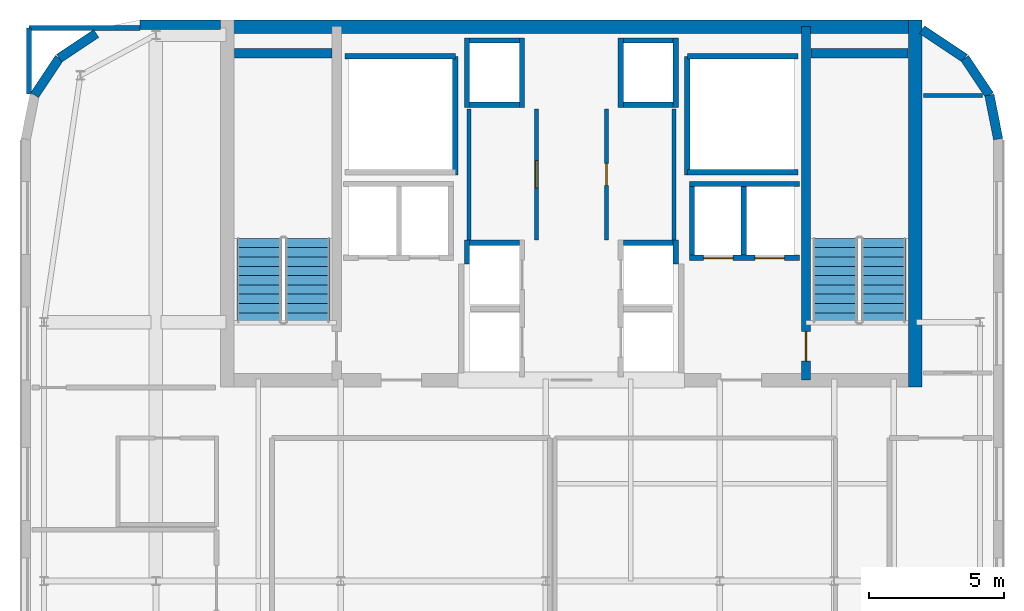
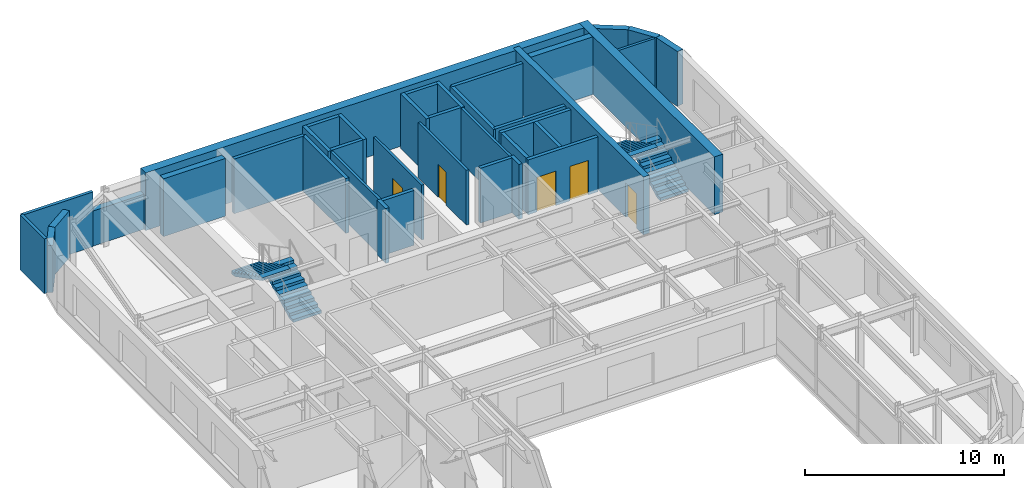
# One storey, part 16 of 20: 39 walls, 5 doors, 4 stair flights, 5 openings, 2 elements without a shape of their own.
"""IFC4 building model written with IfcOpenShell, lengths in metres."""

from ifc_helpers import new_model, si_unit, direction, frame, frame_2d, origin, place, context, subcontext, project, spatial, polyline, rectangle, outline, extrude, source, transform, mapped, material, layer, layer_set, type_object, type_shapes, element, fill, aggregate, save


model = new_model("IFC4")

# Units and contexts
model_context = context("Model", 3, precision=1e-05, world=origin(), true_north=direction((0.0, 1.0)))
body_context = subcontext(model_context, "Body", "Model", "MODEL_VIEW")
ifc_project = project(units=[si_unit("LENGTHUNIT", "METRE"), si_unit("AREAUNIT", "SQUARE_METRE"), si_unit("VOLUMEUNIT", "CUBIC_METRE"), si_unit("PLANEANGLEUNIT", "RADIAN"), si_unit("MASSUNIT", "GRAM", prefix="KILO")], contexts=[model_context])

# Site, building, storey
site_placement = place(None, origin())
site = spatial("IfcSite", under=ifc_project, at=site_placement, CompositionType="ELEMENT")
building_placement = place(site_placement, origin())
building = spatial("IfcBuilding", under=site, at=building_placement, Name="Tolvann Quenvar Hotel", CompositionType="ELEMENT")
storey_placement = place(building_placement, frame((0.0, 0.0, 248.75)))
storey = spatial("IfcBuildingStorey", under=building, at=storey_placement, Name="L66", CompositionType="ELEMENT", Elevation=248.75)

# Walls
ifc_material_1 = material(Name="Concrete N50 (50 MPa)", Category="concrete")
ifc_layer_1 = layer(ifc_material_1, 0.5)
ifc_layer_set_1 = layer_set([ifc_layer_1], Name="Concrete N50 (50 MPa)")
wall_type_1 = type_object("IfcWallType", Name="WALL_CORE_500", PredefinedType="SHEAR", material=ifc_layer_set_1)
wall_1_placement = place(storey_placement, frame((10.0, 44.949951171875, 0.0), z_axis=(0.0, 0.0, 1.0), x_axis=(1.0, 0.0, 0.0)))
element("IfcWall", 1, at=wall_1_placement, inside=storey, type_object=wall_type_1, Name="Rear Core N Shear Wall (L66)", PredefinedType="SHEAR", context=body_context, shape_type="SweptSolid", body=[
    extrude(rectangle(XDim=26.0, YDim=0.5, at=frame_2d((13.0, 0.0))), origin(), (0.0, 0.0, 1.0), 3.550048828125),
])
wall_2_placement = place(storey_placement, frame((35.75, 31.60009765625, 0.0), z_axis=(0.0, 0.0, 1.0), x_axis=(0.0, 1.0, 0.0)))
element("IfcWall", 2, at=wall_2_placement, inside=storey, type_object=wall_type_1, Name="Rear Core E Shear Wall (L66)", PredefinedType="SHEAR", context=body_context, shape_type="SweptSolid", body=[
    extrude(rectangle(XDim=13.599853515625, YDim=0.5, at=frame_2d((6.7998046875, 0.0))), origin(), (0.0, 0.0, 1.0), 3.550048828125),
])

# Wall, opening, door
ifc_material_2 = material(Name="Concrete S65 (65 MPa)", Category="concrete")
ifc_layer_2 = layer(ifc_material_2, 0.35009765625)
ifc_layer_set_2 = layer_set([ifc_layer_2], Name="Concrete S65 (65 MPa)")
wall_type_2 = type_object("IfcWallType", Name="WALL_CORE_INT_350", PredefinedType="SHEAR", material=ifc_layer_set_2)
wall_3_placement = place(storey_placement, frame((31.699951171875, 31.85009765625, 0.0), z_axis=(0.0, 0.0, 1.0), x_axis=(0.0, 1.0, 0.0)))
wall_3 = element("IfcWall", 3, at=wall_3_placement, inside=storey, type_object=wall_type_2, Name="Core Internal Web Shear Wall WEB-E (L66)", PredefinedType="SHEAR", context=body_context, shape_type="SweptSolid", body=[
    extrude(rectangle(XDim=13.099853515625, YDim=0.35009765625, at=frame_2d((6.5498046875, 0.0))), origin(), (0.0, 0.0, 1.0), 3.550048828125),
])
opening_1_placement = place(wall_3_placement, frame((1.800048828125, 0.0, 0.0), z_axis=(0.0, 0.0, 1.0), x_axis=(-1.0, 0.0, 0.0)))
opening_1 = element("IfcOpeningElement", 4, at=opening_1_placement, cuts=wall_3, Name="Opening FD-120", PredefinedType="OPENING", context=body_context, shape_type="SweptSolid", body=[
    extrude(rectangle(XDim=1.10009765625, YDim=2.1201171875, at=frame_2d((0.550048828125, 1.06005859375))), frame((0.0, 0.18505859375, 0.0), z_axis=(0.0, -1.0, 0.0), x_axis=(1.0, 0.0, 0.0)), (0.0, 0.0, 1.0), 0.3701171875),
])
ifc_material_3 = material(Name="Pressed galvanised steel fire-rated door set", Category="steel")
door_type_1 = type_object("IfcDoorType", Name="DOOR_FIRE_STAIR_1100", OperationType="NOTDEFINED", PredefinedType="DOOR", material=ifc_material_3)
shared_shape_1 = source(origin(), body_context, "Body", "SweptSolid", [
    extrude(rectangle(XDim=1.10009765625, YDim=2.1201171875, at=frame_2d((0.550048828125, 1.06005859375))), frame((0.0, 0.02490234375, 0.0), z_axis=(0.0, -1.0, 0.0), x_axis=(1.0, 0.0, 0.0)), (0.0, 0.0, 1.0), 0.050048828125),
])
type_shapes(door_type_1, [shared_shape_1])
door_1_placement = place(opening_1_placement, origin())
door_1 = element("IfcDoor", 5, at=door_1_placement, inside=storey, type_object=door_type_1, Name="Exit Stair ST-C2 Fire Door (L66)", OperationType="SINGLE_SWING_RIGHT", OverallHeight=2.1201171875, OverallWidth=1.10009765625, PredefinedType="DOOR", context=body_context, shape_type="MappedRepresentation", body=[
    mapped(shared_shape_1, transform((0.0, 0.0, 0.0), x_axis=(1.0, 0.0, 0.0), y_axis=(0.0, 1.0, 0.0), z_axis=(0.0, 0.0, 1.0), scale=1.0)),
])
fill(opening_1, door_1)

# Walls
for number, where, z_axis, x_axis, name in (
    (6, (10.52001953125, 43.97509765625, 0.0), (0.0, 0.0, 1.0), (1.0, 0.0, 0.0), "Core Stair North Closing Shear Wall STC1-N (L66)"),
    (7, (31.8798828125, 43.97509765625, 0.0), (0.0, 0.0, 1.0), (1.0, 0.0, 0.0), "Core Stair North Closing Shear Wall STC2-N (L66)"),
):
    element("IfcWall", number, at=place(storey_placement, frame(where, z_axis=z_axis, x_axis=x_axis)), inside=storey, type_object=wall_type_2, Name=name, PredefinedType="SHEAR", context=body_context, shape_type="SweptSolid", body=[
        extrude(rectangle(XDim=3.60009765625, YDim=0.35009765625, at=frame_2d((1.800048828125, 0.0))), origin(), (0.0, 0.0, 1.0), 3.550048828125),
    ])
ifc_material_4 = material(Name="Kiln-fired red and buff architectural clay brickwork and terracotta masonry", Category="masonry")
ifc_layer_3 = layer(ifc_material_4, 0.35009765625)
ifc_layer_set_3 = layer_set([ifc_layer_3], Name="Kiln-fired red and buff architectural clay brickwork and terracotta masonry")
wall_type_3 = type_object("IfcWallType", Name="WALL_EXT_BRICK_350", PredefinedType="SOLIDWALL", material=ifc_layer_set_3)
wall_4_placement = place(storey_placement, frame((38.824951171875, 40.78271484375, 0.0), z_axis=(0.0, 0.0, 1.0), x_axis=(-0.195044345786, 0.980794424524, 0.0)))
element("IfcWall", 8, at=wall_4_placement, inside=storey, type_object=wall_type_3, Name="Exterior Chicago Brick Wall L66-E14", PredefinedType="SOLIDWALL", context=body_context, shape_type="SweptSolid", body=[
    extrude(rectangle(XDim=1.664794921875, YDim=0.35009765625, at=frame_2d((0.83251953125, 0.0))), origin(), (0.0, 0.0, 1.0), 3.3701171875),
])
wall_5_placement = place(storey_placement, frame((38.500244140625, 42.41552734375, 0.0), z_axis=(0.0, 0.0, 1.0), x_axis=(-0.555520825599, 0.831502623162, 0.0)))
element("IfcWall", 9, at=wall_5_placement, inside=storey, type_object=wall_type_3, Name="Exterior Chicago Brick Wall L66-E15", PredefinedType="SOLIDWALL", context=body_context, shape_type="SweptSolid", body=[
    extrude(rectangle(XDim=1.647216796875, YDim=0.35009765625, at=frame_2d((0.82373046875, 0.0))), origin(), (0.0, 0.0, 1.0), 3.3701171875),
])
wall_6_placement = place(storey_placement, frame((37.585205078125, 43.78515625, 0.0), z_axis=(0.0, 0.0, 1.0), x_axis=(-0.831516639465, 0.555499845448, 0.0)))
element("IfcWall", 10, at=wall_6_placement, inside=storey, type_object=wall_type_3, Name="Exterior Chicago Brick Wall L66-E16", PredefinedType="SOLIDWALL", context=body_context, shape_type="SweptSolid", body=[
    extrude(rectangle(XDim=1.901611328125, YDim=0.35009765625, at=frame_2d((0.95068359375, 0.0))), origin(), (0.0, 0.0, 1.0), 3.3701171875),
])
wall_7_placement = place(storey_placement, frame((9.99609375, 45.02490234375, 0.0), z_axis=(0.0, 0.0, 1.0), x_axis=(-1.0, 0.0, 0.0)))
element("IfcWall", 11, at=wall_7_placement, inside=storey, type_object=wall_type_3, Name="Exterior Chicago Brick Wall L66-E18NW", PredefinedType="SOLIDWALL", context=body_context, shape_type="SweptSolid", body=[
    extrude(rectangle(XDim=2.97900390625, YDim=0.35009765625, at=frame_2d((1.489501953125, 0.0))), origin(), (0.0, 0.0, 1.0), 2.159912109375),
])
for number, where, z_axis, x_axis, name in (
    (12, (5.384521484375, 44.7001953125, 0.0), (0.0, 0.0, 1.0), (-0.831502623162, -0.555520825599, 0.0), "Exterior Chicago Brick Wall L66-E20"),
    (13, (4.014892578125, 43.78515625, 0.0), (0.0, 0.0, 1.0), (-0.555623290322, -0.831434158098, 0.0), "Exterior Chicago Brick Wall L66-E21"),
):
    element("IfcWall", number, at=place(storey_placement, frame(where, z_axis=z_axis, x_axis=x_axis)), inside=storey, type_object=wall_type_3, Name=name, PredefinedType="SOLIDWALL", context=body_context, shape_type="SweptSolid", body=[
        extrude(rectangle(XDim=1.647216796875, YDim=0.35009765625, at=frame_2d((0.82373046875, 0.0))), origin(), (0.0, 0.0, 1.0), 2.89990234375),
    ])
ifc_material_5 = material(Name="Acoustic twin-stud fire-rated gypsum plasterboard partition")
ifc_layer_4 = layer(ifc_material_5, 0.179931640625)
ifc_layer_set_4 = layer_set([ifc_layer_4], Name="Acoustic twin-stud fire-rated gypsum plasterboard partition")
wall_type_4 = type_object("IfcWallType", Name="WALL_PART_ACOUSTIC_180", PredefinedType="PARTITIONING", material=ifc_layer_set_4)
wall_8_placement = place(storey_placement, frame((2.89990234375, 44.89990234375, 0.0), z_axis=(0.0, 0.0, 1.0), x_axis=(1.0, 0.0, 0.0)))
element("IfcWall", 14, at=wall_8_placement, inside=storey, type_object=wall_type_4, Name="Interior Partition PT-SPC-L66-SAL-N", PredefinedType="PARTITIONING", context=body_context, shape_type="SweptSolid", body=[
    extrude(rectangle(XDim=4.1171875, YDim=0.179931640625, at=frame_2d((2.05859375, 0.0))), origin(), (0.0, 0.0, 1.0), 3.3701171875),
])
wall_9_placement = place(storey_placement, frame((2.89990234375, 42.455078125, 0.0), z_axis=(0.0, 0.0, 1.0), x_axis=(0.0, 1.0, 0.0)))
element("IfcWall", 15, at=wall_9_placement, inside=storey, type_object=wall_type_4, Name="Interior Partition PT-SPC-L66-SAL-W", PredefinedType="PARTITIONING", context=body_context, shape_type="SweptSolid", body=[
    extrude(rectangle(XDim=2.44482421875, YDim=0.179931640625, at=frame_2d((1.222412109375, 0.0))), origin(), (0.0, 0.0, 1.0), 3.3701171875),
])

# Wall, opening, door
ifc_layer_5 = layer(ifc_material_5, 0.14990234375)
ifc_layer_set_5 = layer_set([ifc_layer_5], Name="Acoustic twin-stud fire-rated gypsum plasterboard partition")
wall_type_5 = type_object("IfcWallType", Name="WALL_PART_SUITE_150", PredefinedType="PARTITIONING", material=ifc_layer_set_5)
wall_10_placement = place(storey_placement, frame((21.699951171875, 37.050048828125, 0.0), z_axis=(0.0, 0.0, 1.0), x_axis=(0.0, 1.0, 0.0)))
wall_10 = element("IfcWall", 16, at=wall_10_placement, inside=storey, type_object=wall_type_5, Name="Interior Partition PT-SPC-L66-RECPM-1-ENT", PredefinedType="PARTITIONING", context=body_context, shape_type="SweptSolid", body=[
    extrude(rectangle(XDim=4.849853515625, YDim=0.14990234375, at=frame_2d((2.4248046875, 0.0))), origin(), (0.0, 0.0, 1.0), 3.3701171875),
])
opening_2_placement = place(wall_10_placement, frame((1.9150390625, 0.0, 0.0)))
opening_2 = element("IfcOpeningElement", 17, at=opening_2_placement, cuts=wall_10, Name="Opening HD-01", PredefinedType="OPENING", context=body_context, shape_type="SweptSolid", body=[
    extrude(rectangle(XDim=1.02001953125, YDim=2.030029296875, at=frame_2d((0.510009765625, 1.01513671875))), frame((0.0, 0.0849609375, 0.0), z_axis=(0.0, -1.0, 0.0), x_axis=(1.0, 0.0, 0.0)), (0.0, 0.0, 1.0), 0.169921875),
])
door_type_2 = type_object("IfcDoorType", Name="DOOR_BOH_1020", OperationType="NOTDEFINED", PredefinedType="DOOR", material=ifc_material_3)
shared_shape_2 = source(origin(), body_context, "Body", "SweptSolid", [
    extrude(rectangle(XDim=1.02001953125, YDim=2.030029296875, at=frame_2d((0.510009765625, 1.01513671875))), frame((0.0, 0.02490234375, 0.0), z_axis=(0.0, -1.0, 0.0), x_axis=(1.0, 0.0, 0.0)), (0.0, 0.0, 1.0), 0.050048828125),
])
type_shapes(door_type_2, [shared_shape_2])
door_2_placement = place(opening_2_placement, origin())
door_2 = element("IfcDoor", 18, at=door_2_placement, inside=storey, type_object=door_type_2, Name="Interior Door DOOR-SPC-L66-RECPM-1", OperationType="SINGLE_SWING_LEFT", OverallHeight=2.030029296875, OverallWidth=1.02001953125, PredefinedType="DOOR", context=body_context, shape_type="MappedRepresentation", body=[
    mapped(shared_shape_2, transform((0.0, 0.0, 0.0), x_axis=(1.0, 0.0, 0.0), y_axis=(0.0, 1.0, 0.0), z_axis=(0.0, 0.0, 1.0), scale=1.0)),
])
fill(opening_2, door_2)

# Wall
wall_11_placement = place(storey_placement, frame((19.199951171875, 37.0400390625, 0.0), z_axis=(0.0, 0.0, 1.0), x_axis=(0.0, 1.0, 0.0)))
element("IfcWall", 19, at=wall_11_placement, inside=storey, type_object=wall_type_5, Name="Interior Partition PT-SPC-L66-RECPM-1-W", PredefinedType="PARTITIONING", context=body_context, shape_type="SweptSolid", body=[
    extrude(rectangle(XDim=4.85986328125, YDim=0.14990234375, at=frame_2d((2.429931640625, 0.0))), origin(), (0.0, 0.0, 1.0), 3.3701171875),
])

# Wall, opening, door
wall_12_placement = place(storey_placement, frame((24.300048828125, 37.050048828125, 0.0), z_axis=(0.0, 0.0, 1.0), x_axis=(0.0, 1.0, 0.0)))
wall_12 = element("IfcWall", 20, at=wall_12_placement, inside=storey, type_object=wall_type_5, Name="Interior Partition PT-SPC-L66-RECPM-2-ENT", PredefinedType="PARTITIONING", context=body_context, shape_type="SweptSolid", body=[
    extrude(rectangle(XDim=4.849853515625, YDim=0.14990234375, at=frame_2d((2.4248046875, 0.0))), origin(), (0.0, 0.0, 1.0), 3.3701171875),
])
opening_3_placement = place(wall_12_placement, frame((2.014892578125, 0.0, 0.0)))
opening_3 = element("IfcOpeningElement", 21, at=opening_3_placement, cuts=wall_12, Name="Opening HD-02", PredefinedType="OPENING", context=body_context, shape_type="SweptSolid", body=[
    extrude(rectangle(XDim=0.820068359375, YDim=2.010009765625, at=frame_2d((0.41015625, 1.0048828125))), frame((0.0, 0.0849609375, 0.0), z_axis=(0.0, -1.0, 0.0), x_axis=(1.0, 0.0, 0.0)), (0.0, 0.0, 1.0), 0.169921875),
])
door_type_3 = type_object("IfcDoorType", Name="DOOR_STORE_820", OperationType="NOTDEFINED", PredefinedType="DOOR", material=ifc_material_3)
shared_shape_3 = source(origin(), body_context, "Body", "SweptSolid", [
    extrude(rectangle(XDim=0.820068359375, YDim=2.010009765625, at=frame_2d((0.41015625, 1.0048828125))), frame((0.0, 0.02490234375, 0.0), z_axis=(0.0, -1.0, 0.0), x_axis=(1.0, 0.0, 0.0)), (0.0, 0.0, 1.0), 0.050048828125),
])
type_shapes(door_type_3, [shared_shape_3])
door_3_placement = place(opening_3_placement, origin())
door_3 = element("IfcDoor", 22, at=door_3_placement, inside=storey, type_object=door_type_3, Name="Interior Door DOOR-SPC-L66-RECPM-2", OperationType="SINGLE_SWING_RIGHT", OverallHeight=2.010009765625, OverallWidth=0.820068359375, PredefinedType="DOOR", context=body_context, shape_type="MappedRepresentation", body=[
    mapped(shared_shape_3, transform((0.0, 0.0, 0.0), x_axis=(1.0, 0.0, 0.0), y_axis=(0.0, 1.0, 0.0), z_axis=(0.0, 0.0, 1.0), scale=1.0)),
])
fill(opening_3, door_3)

# Walls
wall_13_placement = place(storey_placement, frame((26.800048828125, 37.0400390625, 0.0), z_axis=(0.0, 0.0, 1.0), x_axis=(0.0, 1.0, 0.0)))
element("IfcWall", 23, at=wall_13_placement, inside=storey, type_object=wall_type_5, Name="Interior Partition PT-SPC-L66-RECPM-2-E", PredefinedType="PARTITIONING", context=body_context, shape_type="SweptSolid", body=[
    extrude(rectangle(XDim=4.85986328125, YDim=0.14990234375, at=frame_2d((2.429931640625, 0.0))), origin(), (0.0, 0.0, 1.0), 3.3701171875),
])
wall_14_placement = place(storey_placement, frame((36.054931640625, 42.39990234375, 0.0), z_axis=(0.0, 0.0, 1.0), x_axis=(1.0, 0.0, 0.0)))
element("IfcWall", 24, at=wall_14_placement, inside=storey, type_object=wall_type_5, Name="Interior Partition PT-SPC-L66-RECPL-P-N", PredefinedType="PARTITIONING", context=body_context, shape_type="SweptSolid", body=[
    extrude(rectangle(XDim=2.178955078125, YDim=0.14990234375, at=frame_2d((1.08935546875, 0.0))), origin(), (0.0, 0.0, 1.0), 3.3701171875),
])
ifc_material_6 = material(Name="Concrete N40 (40 MPa)", Category="concrete")
ifc_layer_6 = layer(ifc_material_6, 0.199951171875)
ifc_layer_set_6 = layer_set([ifc_layer_6], Name="Concrete N40 (40 MPa)")
wall_type_6 = type_object("IfcWallType", Name="WALL_SHAFT_200", PredefinedType="SOLIDWALL", material=ifc_layer_set_6)
wall_15_placement = place(storey_placement, frame((18.699951171875, 39.449951171875, 0.0), z_axis=(0.0, 0.0, 1.0), x_axis=(0.0, 1.0, 0.0)))
element("IfcWall", 25, at=wall_15_placement, inside=storey, type_object=wall_type_6, Name="Service Riser W Shaft Wall IN (L66)", PredefinedType="SOLIDWALL", context=body_context, shape_type="SweptSolid", body=[
    extrude(rectangle(XDim=4.400146484375, YDim=0.199951171875, at=frame_2d((2.2001953125, 0.0))), origin(), (0.0, 0.0, 1.0), 3.3701171875),
])
wall_16_placement = place(storey_placement, frame((14.60009765625, 43.85009765625, 0.0), z_axis=(0.0, 0.0, 1.0), x_axis=(1.0, 0.0, 0.0)))
element("IfcWall", 26, at=wall_16_placement, inside=storey, type_object=wall_type_6, Name="Service Riser W Shaft Wall N (L66)", PredefinedType="SOLIDWALL", context=body_context, shape_type="SweptSolid", body=[
    extrude(rectangle(XDim=4.099853515625, YDim=0.199951171875, at=frame_2d((2.0498046875, 0.0))), origin(), (0.0, 0.0, 1.0), 3.3701171875),
])
wall_17_placement = place(storey_placement, frame((27.300048828125, 39.449951171875, 0.0), z_axis=(0.0, 0.0, 1.0), x_axis=(0.0, 1.0, 0.0)))
element("IfcWall", 27, at=wall_17_placement, inside=storey, type_object=wall_type_6, Name="Service Riser E Shaft Wall IN (L66)", PredefinedType="SOLIDWALL", context=body_context, shape_type="SweptSolid", body=[
    extrude(rectangle(XDim=4.400146484375, YDim=0.199951171875, at=frame_2d((2.2001953125, 0.0))), origin(), (0.0, 0.0, 1.0), 3.3701171875),
])
for number, where, z_axis, x_axis, name in (
    (28, (27.300048828125, 39.550048828125, 0.0), (0.0, 0.0, 1.0), (1.0, 0.0, 0.0), "Service Riser E Shaft Wall S (L66)"),
    (29, (27.300048828125, 43.85009765625, 0.0), (0.0, 0.0, 1.0), (1.0, 0.0, 0.0), "Service Riser E Shaft Wall N (L66)"),
):
    element("IfcWall", number, at=place(storey_placement, frame(where, z_axis=z_axis, x_axis=x_axis)), inside=storey, type_object=wall_type_6, Name=name, PredefinedType="SOLIDWALL", context=body_context, shape_type="SweptSolid", body=[
        extrude(rectangle(XDim=4.099853515625, YDim=0.199951171875, at=frame_2d((2.0498046875, 0.0))), origin(), (0.0, 0.0, 1.0), 3.3701171875),
    ])
wall_18_placement = place(storey_placement, frame((19.1298828125, 36.159912109375, 0.0), z_axis=(0.0, 0.0, 1.0), x_axis=(0.0, 1.0, 0.0)))
element("IfcWall", 30, at=wall_18_placement, inside=storey, type_object=wall_type_6, Name="Lift Bank E21.1C1 Hoistway Rear Wall (L66)", PredefinedType="SOLIDWALL", context=body_context, shape_type="SweptSolid", body=[
    extrude(rectangle(XDim=0.880126953125, YDim=0.199951171875, at=frame_2d((0.43994140625, 0.0))), origin(), (0.0, 0.0, 1.0), 3.3701171875),
])
wall_19_placement = place(storey_placement, frame((19.22998046875, 36.93994140625, 0.0), z_axis=(0.0, 0.0, 1.0), x_axis=(1.0, 0.0, 0.0)))
element("IfcWall", 31, at=wall_19_placement, inside=storey, type_object=wall_type_6, Name="Lift Bank E21.1C1 Hoistway Cheek Wall 2 (L66)", PredefinedType="SOLIDWALL", context=body_context, shape_type="SweptSolid", body=[
    extrude(rectangle(XDim=1.840087890625, YDim=0.199951171875, at=frame_2d((0.919921875, 0.0))), origin(), (0.0, 0.0, 1.0), 3.3701171875),
])
for number, where, z_axis, x_axis, name in (
    (32, (21.169921875, 41.9599609375, 0.0), (0.0, 0.0, 1.0), (0.0, 1.0, 0.0), "Lift Bank E21.1C2 Hoistway Front Wall (L66)"),
    (33, (19.1298828125, 41.9599609375, 0.0), (0.0, 0.0, 1.0), (0.0, 1.0, 0.0), "Lift Bank E21.1C2 Hoistway Rear Wall (L66)"),
):
    element("IfcWall", number, at=place(storey_placement, frame(where, z_axis=z_axis, x_axis=x_axis)), inside=storey, type_object=wall_type_6, Name=name, PredefinedType="SOLIDWALL", context=body_context, shape_type="SweptSolid", body=[
        extrude(rectangle(XDim=2.580078125, YDim=0.199951171875, at=frame_2d((1.2900390625, 0.0))), origin(), (0.0, 0.0, 1.0), 3.3701171875),
    ])
for number, where, z_axis, x_axis, name in (
    (34, (19.22998046875, 42.06005859375, 0.0), (0.0, 0.0, 1.0), (1.0, 0.0, 0.0), "Lift Bank E21.1C2 Hoistway Cheek Wall 1 (L66)"),
    (35, (19.22998046875, 44.43994140625, 0.0), (0.0, 0.0, 1.0), (1.0, 0.0, 0.0), "Lift Bank E21.1C2 Hoistway Cheek Wall 2 (L66)"),
):
    element("IfcWall", number, at=place(storey_placement, frame(where, z_axis=z_axis, x_axis=x_axis)), inside=storey, type_object=wall_type_6, Name=name, PredefinedType="SOLIDWALL", context=body_context, shape_type="SweptSolid", body=[
        extrude(rectangle(XDim=1.840087890625, YDim=0.199951171875, at=frame_2d((0.919921875, 0.0))), origin(), (0.0, 0.0, 1.0), 3.3701171875),
    ])

# Wall, openings, doors
wall_20_placement = place(storey_placement, frame((27.375, 36.3798828125, 0.0), z_axis=(0.0, 0.0, 1.0), x_axis=(1.0, 0.0, 0.0)))
wall_20 = element("IfcWall", 36, at=wall_20_placement, inside=storey, type_object=wall_type_6, Name="Lift Bank SEC1 Hoistway Front Wall (L66)", PredefinedType="SOLIDWALL", context=body_context, shape_type="SweptSolid", body=[
    extrude(rectangle(XDim=4.074951171875, YDim=0.199951171875, at=frame_2d((2.03759765625, 0.0))), origin(), (0.0, 0.0, 1.0), 3.3701171875),
])
opening_4_placement = place(wall_20_placement, frame((0.52490234375, 0.0, 0.0)))
opening_4 = element("IfcOpeningElement", 37, at=opening_4_placement, cuts=wall_20, Name="Opening LD-01", PredefinedType="OPENING", context=body_context, shape_type="SweptSolid", body=[
    extrude(rectangle(XDim=1.10009765625, YDim=2.1201171875, at=frame_2d((0.550048828125, 1.06005859375))), frame((0.0, 0.10986328125, 0.0), z_axis=(0.0, -1.0, 0.0), x_axis=(1.0, 0.0, 0.0)), (0.0, 0.0, 1.0), 0.219970703125),
])
opening_5_placement = place(wall_20_placement, frame((2.425048828125, 0.0, 0.0)))
opening_5 = element("IfcOpeningElement", 38, at=opening_5_placement, cuts=wall_20, Name="Opening LD-01", PredefinedType="OPENING", context=body_context, shape_type="SweptSolid", body=[
    extrude(rectangle(XDim=1.10009765625, YDim=2.1201171875, at=frame_2d((0.550048828125, 1.06005859375))), frame((0.0, 0.10986328125, 0.0), z_axis=(0.0, -1.0, 0.0), x_axis=(1.0, 0.0, 0.0)), (0.0, 0.0, 1.0), 0.219970703125),
])
ifc_material_7 = material(Name="Brushed 316 stainless steel automatic sliding lift landing door", Category="steel")
door_type_4 = type_object("IfcDoorType", Name="DOOR_LIFT_SLIDE_1100", OperationType="NOTDEFINED", PredefinedType="DOOR", material=ifc_material_7)
shared_shape_4 = source(origin(), body_context, "Body", "SweptSolid", [
    extrude(rectangle(XDim=1.10009765625, YDim=2.1201171875, at=frame_2d((0.550048828125, 1.06005859375))), frame((0.0, 0.02490234375, 0.0), z_axis=(0.0, -1.0, 0.0), x_axis=(1.0, 0.0, 0.0)), (0.0, 0.0, 1.0), 0.050048828125),
])
type_shapes(door_type_4, [shared_shape_4])
door_4_placement = place(opening_4_placement, origin())
door_4 = element("IfcDoor", 39, at=door_4_placement, inside=storey, type_object=door_type_4, Name="Lift SV-2 Sliding Landing Door (L66)", OperationType="SLIDING_TO_LEFT", OverallHeight=2.1201171875, OverallWidth=1.10009765625, PredefinedType="DOOR", context=body_context, shape_type="MappedRepresentation", body=[
    mapped(shared_shape_4, transform((0.0, 0.0, 0.0), x_axis=(1.0, 0.0, 0.0), y_axis=(0.0, 1.0, 0.0), z_axis=(0.0, 0.0, 1.0), scale=1.0)),
])
fill(opening_4, door_4)
door_5_placement = place(opening_5_placement, origin())
door_5 = element("IfcDoor", 40, at=door_5_placement, inside=storey, type_object=door_type_4, Name="Lift FF-2 Sliding Landing Door (L66)", OperationType="SLIDING_TO_RIGHT", OverallHeight=2.1201171875, OverallWidth=1.10009765625, PredefinedType="DOOR", context=body_context, shape_type="MappedRepresentation", body=[
    mapped(shared_shape_4, transform((0.0, 0.0, 0.0), x_axis=(1.0, 0.0, 0.0), y_axis=(0.0, 1.0, 0.0), z_axis=(0.0, 0.0, 1.0), scale=1.0)),
])
fill(opening_5, door_5)

# Walls
wall_21_placement = place(storey_placement, frame((27.375, 39.1201171875, 0.0), z_axis=(0.0, 0.0, 1.0), x_axis=(1.0, 0.0, 0.0)))
element("IfcWall", 41, at=wall_21_placement, inside=storey, type_object=wall_type_6, Name="Lift Bank SEC1 Hoistway Rear Wall (L66)", PredefinedType="SOLIDWALL", context=body_context, shape_type="SweptSolid", body=[
    extrude(rectangle(XDim=4.074951171875, YDim=0.199951171875, at=frame_2d((2.03759765625, 0.0))), origin(), (0.0, 0.0, 1.0), 3.3701171875),
])
for number, where, z_axis, x_axis, name in (
    (42, (27.47509765625, 36.47998046875, 0.0), (0.0, 0.0, 1.0), (0.0, 1.0, 0.0), "Lift Bank SEC1 Hoistway Cheek Wall 1 (L66)"),
    (43, (29.387451171875, 36.47998046875, 0.0), (0.0, 0.0, 1.0), (0.0, 1.0, 0.0), "Lift Bank SEC1 Divider Wall 1 (L66)"),
):
    element("IfcWall", number, at=place(storey_placement, frame(where, z_axis=z_axis, x_axis=x_axis)), inside=storey, type_object=wall_type_6, Name=name, PredefinedType="SOLIDWALL", context=body_context, shape_type="SweptSolid", body=[
        extrude(rectangle(XDim=2.5400390625, YDim=0.199951171875, at=frame_2d((1.27001953125, 0.0))), origin(), (0.0, 0.0, 1.0), 3.3701171875),
    ])
wall_22_placement = place(storey_placement, frame((26.8701171875, 36.159912109375, 0.0), z_axis=(0.0, 0.0, 1.0), x_axis=(0.0, 1.0, 0.0)))
element("IfcWall", 44, at=wall_22_placement, inside=storey, type_object=wall_type_6, Name="Lift Bank W24.9C1 Hoistway Rear Wall (L66)", PredefinedType="SOLIDWALL", context=body_context, shape_type="SweptSolid", body=[
    extrude(rectangle(XDim=0.880126953125, YDim=0.199951171875, at=frame_2d((0.43994140625, 0.0))), origin(), (0.0, 0.0, 1.0), 3.3701171875),
])
wall_23_placement = place(storey_placement, frame((24.929931640625, 36.93994140625, 0.0), z_axis=(0.0, 0.0, 1.0), x_axis=(1.0, 0.0, 0.0)))
element("IfcWall", 45, at=wall_23_placement, inside=storey, type_object=wall_type_6, Name="Lift Bank W24.9C1 Hoistway Cheek Wall 2 (L66)", PredefinedType="SOLIDWALL", context=body_context, shape_type="SweptSolid", body=[
    extrude(rectangle(XDim=1.840087890625, YDim=0.199951171875, at=frame_2d((0.919921875, 0.0))), origin(), (0.0, 0.0, 1.0), 3.3701171875),
])
for number, where, z_axis, x_axis, name in (
    (46, (24.830078125, 41.9599609375, 0.0), (0.0, 0.0, 1.0), (0.0, 1.0, 0.0), "Lift Bank W24.9C2 Hoistway Front Wall (L66)"),
    (47, (26.8701171875, 41.9599609375, 0.0), (0.0, 0.0, 1.0), (0.0, 1.0, 0.0), "Lift Bank W24.9C2 Hoistway Rear Wall (L66)"),
):
    element("IfcWall", number, at=place(storey_placement, frame(where, z_axis=z_axis, x_axis=x_axis)), inside=storey, type_object=wall_type_6, Name=name, PredefinedType="SOLIDWALL", context=body_context, shape_type="SweptSolid", body=[
        extrude(rectangle(XDim=2.580078125, YDim=0.199951171875, at=frame_2d((1.2900390625, 0.0))), origin(), (0.0, 0.0, 1.0), 3.3701171875),
    ])
for number, where, z_axis, x_axis, name in (
    (48, (24.929931640625, 42.06005859375, 0.0), (0.0, 0.0, 1.0), (1.0, 0.0, 0.0), "Lift Bank W24.9C2 Hoistway Cheek Wall 1 (L66)"),
    (49, (24.929931640625, 44.43994140625, 0.0), (0.0, 0.0, 1.0), (1.0, 0.0, 0.0), "Lift Bank W24.9C2 Hoistway Cheek Wall 2 (L66)"),
):
    element("IfcWall", number, at=place(storey_placement, frame(where, z_axis=z_axis, x_axis=x_axis)), inside=storey, type_object=wall_type_6, Name=name, PredefinedType="SOLIDWALL", context=body_context, shape_type="SweptSolid", body=[
        extrude(rectangle(XDim=1.840087890625, YDim=0.199951171875, at=frame_2d((0.919921875, 0.0))), origin(), (0.0, 0.0, 1.0), 3.3701171875),
    ])

# Stair, stair flights
stair_type = type_object("IfcStairType", Name="STAIR", PredefinedType="HALF_TURN_STAIR", material=ifc_material_6)
stair_1_placement = place(storey_placement, origin())
stair_1 = element("IfcStair", 50, at=stair_1_placement, inside=storey, type_object=stair_type, Name="L66 ST-C1", PredefinedType="HALF_TURN_STAIR")
stair_flight_type = type_object("IfcStairFlightType", Name="STAIR_FLIGHT", PredefinedType="STRAIGHT", material=ifc_material_6)
stair_flight_1_placement = place(storey_placement, frame((13.22509765625, 34.0, 0.0), z_axis=(0.0, 0.0, 1.0), x_axis=(0.0, 1.0, 0.0)))
stair_flight_1 = element("IfcStairFlight", 51, at=stair_flight_1_placement, type_object=stair_flight_type, Name="ST-C1 flight 1", NumberOfRisers=10, NumberOfTreads=9, PredefinedType="STRAIGHT", RiserHeight=0.1775, TreadLength=0.345, context=body_context, shape_type="SweptSolid", body=[
    extrude(outline(polyline([(0.0, 0.0), (0.0, 0.177490234375), (0.344970703125, 0.177490234375), (0.344970703125, 0.35498046875), (0.68994140625, 0.35498046875), (0.68994140625, 0.532470703125), (1.034912109375, 0.532470703125), (1.034912109375, 0.7099609375), (1.3798828125, 0.7099609375), (1.3798828125, 0.887451171875), (1.72509765625, 0.887451171875), (1.72509765625, 1.06494140625), (2.070068359375, 1.06494140625), (2.070068359375, 1.242431640625), (2.4150390625, 1.242431640625), (2.4150390625, 1.419921875), (2.760009765625, 1.419921875), (2.760009765625, 1.597412109375), (3.10498046875, 1.597412109375), (3.10498046875, 1.77490234375), (3.10498046875, 1.428955078125), (0.32763671875, 0.0), (0.0, 0.0)])), frame((0.0, 0.824951171875, 0.0), z_axis=(0.0, -1.0, 0.0), x_axis=(1.0, 0.0, 0.0)), (0.0, 0.0, 1.0), 1.64990234375),
])
stair_flight_2_placement = place(storey_placement, frame((11.425048828125, 37.10498046875, 1.77490234375), z_axis=(0.0, 0.0, 1.0), x_axis=(0.0, -1.0, 0.0)))
stair_flight_2 = element("IfcStairFlight", 52, at=stair_flight_2_placement, type_object=stair_flight_type, Name="ST-C1 flight 2", NumberOfRisers=10, NumberOfTreads=9, PredefinedType="STRAIGHT", RiserHeight=0.1775, TreadLength=0.345, context=body_context, shape_type="SweptSolid", body=[
    extrude(outline(polyline([(0.0, 0.0), (0.0, 0.177490234375), (0.344970703125, 0.177490234375), (0.344970703125, 0.35498046875), (0.68994140625, 0.35498046875), (0.68994140625, 0.532470703125), (1.034912109375, 0.532470703125), (1.034912109375, 0.7099609375), (1.3798828125, 0.7099609375), (1.3798828125, 0.887451171875), (1.72509765625, 0.887451171875), (1.72509765625, 1.06494140625), (2.070068359375, 1.06494140625), (2.070068359375, 1.242431640625), (2.4150390625, 1.242431640625), (2.4150390625, 1.419921875), (2.760009765625, 1.419921875), (2.760009765625, 1.597412109375), (3.10498046875, 1.597412109375), (3.10498046875, 1.77490234375), (3.10498046875, 1.428955078125), (0.32763671875, 0.0), (0.0, 0.0)])), frame((0.0, 0.824951171875, 0.0), z_axis=(0.0, -1.0, 0.0), x_axis=(1.0, 0.0, 0.0)), (0.0, 0.0, 1.0), 1.64990234375),
])
aggregate(stair_1, [stair_flight_1, stair_flight_2])

stair_2_placement = place(storey_placement, origin())
stair_2 = element("IfcStair", 53, at=stair_2_placement, inside=storey, type_object=stair_type, Name="L66 ST-C2", PredefinedType="HALF_TURN_STAIR")
stair_flight_3_placement = place(storey_placement, frame((34.574951171875, 34.0, 0.0), z_axis=(0.0, 0.0, 1.0), x_axis=(0.0, 1.0, 0.0)))
stair_flight_3 = element("IfcStairFlight", 54, at=stair_flight_3_placement, type_object=stair_flight_type, Name="ST-C2 flight 1", NumberOfRisers=10, NumberOfTreads=9, PredefinedType="STRAIGHT", RiserHeight=0.1775, TreadLength=0.345, context=body_context, shape_type="SweptSolid", body=[
    extrude(outline(polyline([(0.0, 0.0), (0.0, 0.177490234375), (0.344970703125, 0.177490234375), (0.344970703125, 0.35498046875), (0.68994140625, 0.35498046875), (0.68994140625, 0.532470703125), (1.034912109375, 0.532470703125), (1.034912109375, 0.7099609375), (1.3798828125, 0.7099609375), (1.3798828125, 0.887451171875), (1.72509765625, 0.887451171875), (1.72509765625, 1.06494140625), (2.070068359375, 1.06494140625), (2.070068359375, 1.242431640625), (2.4150390625, 1.242431640625), (2.4150390625, 1.419921875), (2.760009765625, 1.419921875), (2.760009765625, 1.597412109375), (3.10498046875, 1.597412109375), (3.10498046875, 1.77490234375), (3.10498046875, 1.428955078125), (0.32763671875, 0.0), (0.0, 0.0)])), frame((0.0, 0.824951171875, 0.0), z_axis=(0.0, -1.0, 0.0), x_axis=(1.0, 0.0, 0.0)), (0.0, 0.0, 1.0), 1.64990234375),
])
stair_flight_4_placement = place(storey_placement, frame((32.77490234375, 37.10498046875, 1.77490234375), z_axis=(0.0, 0.0, 1.0), x_axis=(0.0, -1.0, 0.0)))
stair_flight_4 = element("IfcStairFlight", 55, at=stair_flight_4_placement, type_object=stair_flight_type, Name="ST-C2 flight 2", NumberOfRisers=10, NumberOfTreads=9, PredefinedType="STRAIGHT", RiserHeight=0.1775, TreadLength=0.345, context=body_context, shape_type="SweptSolid", body=[
    extrude(outline(polyline([(0.0, 0.0), (0.0, 0.177490234375), (0.344970703125, 0.177490234375), (0.344970703125, 0.35498046875), (0.68994140625, 0.35498046875), (0.68994140625, 0.532470703125), (1.034912109375, 0.532470703125), (1.034912109375, 0.7099609375), (1.3798828125, 0.7099609375), (1.3798828125, 0.887451171875), (1.72509765625, 0.887451171875), (1.72509765625, 1.06494140625), (2.070068359375, 1.06494140625), (2.070068359375, 1.242431640625), (2.4150390625, 1.242431640625), (2.4150390625, 1.419921875), (2.760009765625, 1.419921875), (2.760009765625, 1.597412109375), (3.10498046875, 1.597412109375), (3.10498046875, 1.77490234375), (3.10498046875, 1.428955078125), (0.32763671875, 0.0), (0.0, 0.0)])), frame((0.0, 0.824951171875, 0.0), z_axis=(0.0, -1.0, 0.0), x_axis=(1.0, 0.0, 0.0)), (0.0, 0.0, 1.0), 1.64990234375),
])
aggregate(stair_2, [stair_flight_3, stair_flight_4])

save(model, "model.ifc")
